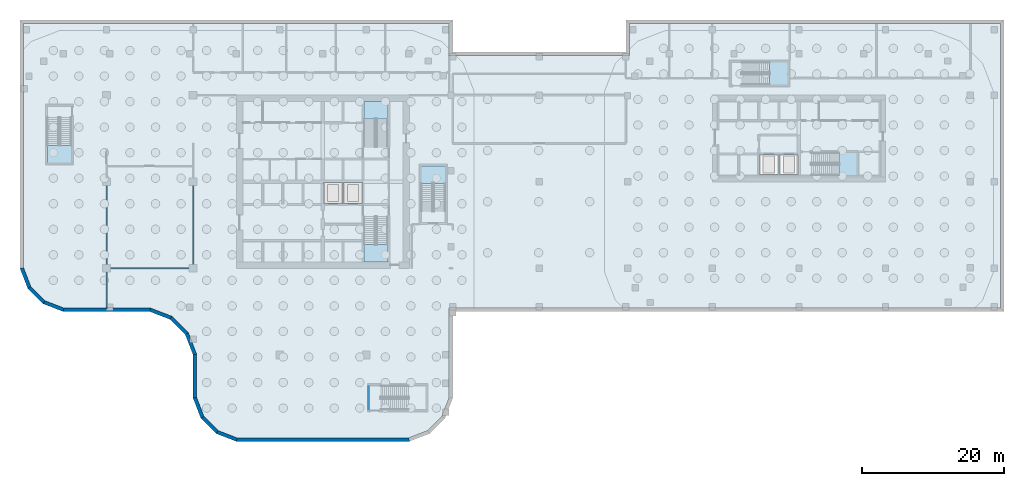
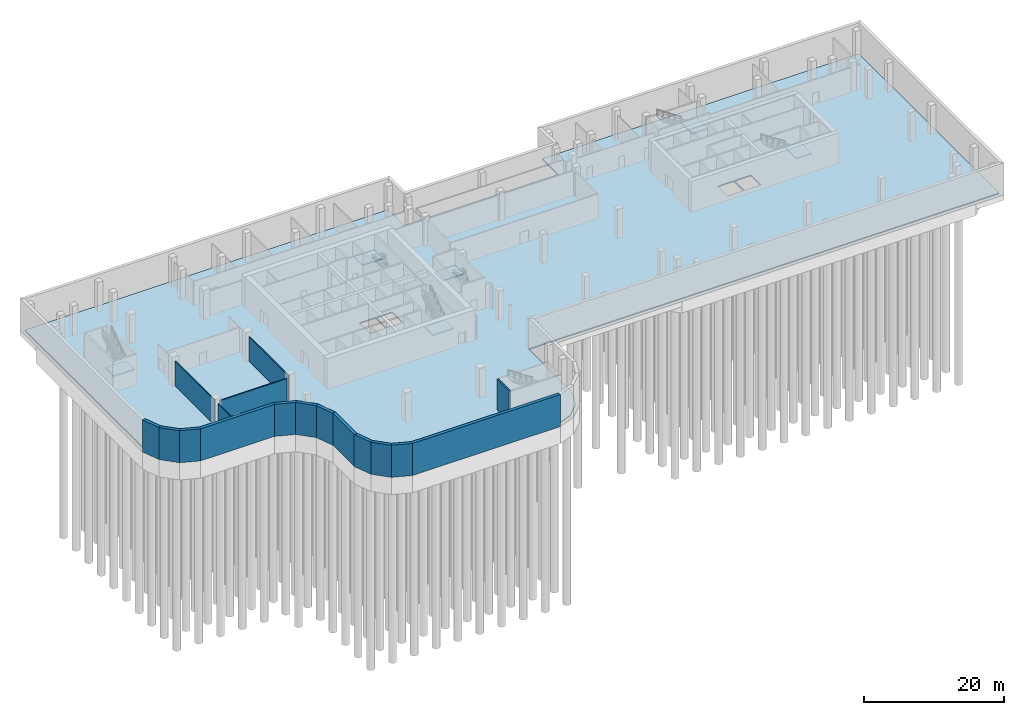
# One storey, part 3 of 13: 17 walls, 7 slabs, 6 elements without a shape of their own.
"""IFC4 building model written with IfcOpenShell, lengths in metres."""

from ifc_helpers import new_model, si_unit, direction, frame, frame_2d, origin, place, context, subcontext, project, spatial, polyline, rectangle, outline, extrude, material, layer, layer_set, type_object, element, aggregate, save


model = new_model("IFC4")

# Units and contexts
model_context = context("Model", 3, precision=1e-05, world=origin(), true_north=direction((0.0, 1.0)))
body_context = subcontext(model_context, "Body", "Model", "MODEL_VIEW")
ifc_project = project(units=[si_unit("LENGTHUNIT", "METRE"), si_unit("AREAUNIT", "SQUARE_METRE"), si_unit("VOLUMEUNIT", "CUBIC_METRE"), si_unit("PLANEANGLEUNIT", "RADIAN"), si_unit("MASSUNIT", "GRAM", prefix="KILO")], contexts=[model_context])

# Site, building, storey
site_placement = place(None, origin())
site = spatial("IfcSite", under=ifc_project, at=site_placement, CompositionType="ELEMENT")
building_placement = place(site_placement, origin())
building = spatial("IfcBuilding", under=site, at=building_placement, Name="Tessera Gate Towers", CompositionType="ELEMENT")
storey_placement = place(building_placement, frame((0.0, 0.0, -5.39990234375)))
storey = spatial("IfcBuildingStorey", under=building, at=storey_placement, Name="B1", CompositionType="ELEMENT", Elevation=-5.39990234375)

# Slab
ifc_material_1 = material(Name="Concrete C35/45", Category="concrete")
ifc_layer_1 = layer(ifc_material_1, 0.199951171875)
ifc_layer_set_1 = layer_set([ifc_layer_1], Name="BASE SLAB 200")
slab_type_1 = type_object("IfcSlabType", Name="BASE SLAB 200", PredefinedType="BASESLAB", material=ifc_layer_set_1)
slab_1_placement = place(storey_placement, frame((0.0, 0.0, -0.2001953125)))
element("IfcSlab", 1, at=slab_1_placement, inside=storey, type_object=slab_type_1, Name="PD-B1-FLOOR", PredefinedType="BASESLAB", context=body_context, shape_type="SweptSolid", body=[
    extrude(outline(polyline([(0.5, 24.4931640625), (1.526123046875, 21.8330078125), (3.533203125, 19.826171875), (6.193115234375, 18.800048828125), (18.39306640625, 18.800048828125), (21.42431640625, 17.630615234375), (23.730712890625, 15.32421875), (24.89990234375, 12.293212890625), (24.89990234375, 6.193115234375), (25.926025390625, 3.533203125), (27.93310546875, 1.526123046875), (30.593017578125, 0.5), (54.806884765625, 0.5), (57.466796875, 1.526123046875), (59.473876953125, 3.533203125), (60.5, 6.193115234375), (60.5, 18.800048828125), (138.199951171875, 18.800048828125), (138.199951171875, 58.89990234375), (85.89990234375, 58.89990234375), (85.89990234375, 54.39990234375), (60.5, 54.39990234375), (60.5, 58.89990234375), (0.5, 58.89990234375), (0.5, 24.4931640625)]), holes=[polyline([(42.800048828125, 33.5), (42.800048828125, 36.5), (45.425048828125, 36.5), (45.425048828125, 33.5), (42.800048828125, 33.5)]), polyline([(45.625, 33.5), (45.625, 36.5), (48.25, 36.5), (48.25, 33.5), (45.625, 33.5)]), polyline([(104.25, 37.60009765625), (104.25, 40.39990234375), (106.875, 40.39990234375), (106.875, 37.60009765625), (104.25, 37.60009765625)]), polyline([(107.074951171875, 37.60009765625), (107.074951171875, 40.39990234375), (109.699951171875, 40.39990234375), (109.699951171875, 37.60009765625), (107.074951171875, 37.60009765625)])]), origin(), (0.0, 0.0, 1.0), 0.2001953125),
])

# Stair, slab
ifc_material_2 = material(Name="Concrete C40/50", Category="concrete")
stair_type_1 = type_object("IfcStairType", Name="EXIT STAIR ST1D 1600", PredefinedType="HALF_TURN_STAIR", material=ifc_material_2)
stair_1_placement = place(storey_placement, origin())
stair_1 = element("IfcStair", 2, at=stair_1_placement, inside=storey, type_object=stair_type_1, Name="B1 Protected Exit Stair ST1", PredefinedType="HALF_TURN_STAIR")
ifc_material_3 = material(Name="Concrete C40/50", Category="concrete")
ifc_layer_2 = layer(ifc_material_3, 0.199951171875)
ifc_layer_set_2 = layer_set([ifc_layer_2], Name="EXIT STAIR LANDING 200")
slab_type_2 = type_object("IfcSlabType", Name="EXIT STAIR LANDING 200", PredefinedType="LANDING", material=ifc_layer_set_2)
slab_2_placement = place(storey_placement, frame((0.0, 0.0, 2.5)))
slab_2 = element("IfcSlab", 3, at=slab_2_placement, type_object=slab_type_2, Name="ST1 landing 1", PredefinedType="LANDING", context=body_context, shape_type="SweptSolid", body=[
    extrude(outline(polyline([(48.47509765625, 27.7548828125), (48.47509765625, 25.300048828125), (51.875, 25.300048828125), (51.875, 27.7548828125), (48.47509765625, 27.7548828125)])), origin(), (0.0, 0.0, 1.0), 0.199951171875),
])
aggregate(stair_1, [slab_2])

ifc_material_4 = material(Name="Concrete C40/50", Category="concrete")
stair_type_2 = type_object("IfcStairType", Name="EXIT STAIR ST2D 1600", PredefinedType="HALF_TURN_STAIR", material=ifc_material_4)
stair_2_placement = place(storey_placement, origin())
stair_2 = element("IfcStair", 4, at=stair_2_placement, inside=storey, type_object=stair_type_2, Name="B1 Protected Exit Stair ST2", PredefinedType="HALF_TURN_STAIR")
slab_3_placement = place(storey_placement, frame((0.0, 0.0, 2.5)))
slab_3 = element("IfcSlab", 5, at=slab_3_placement, type_object=slab_type_2, Name="ST2 landing 1", PredefinedType="LANDING", context=body_context, shape_type="SweptSolid", body=[
    extrude(outline(polyline([(51.875, 45.445068359375), (51.875, 47.89990234375), (48.47509765625, 47.89990234375), (48.47509765625, 45.445068359375), (51.875, 45.445068359375)])), origin(), (0.0, 0.0, 1.0), 0.199951171875),
])
aggregate(stair_2, [slab_3])

ifc_material_5 = material(Name="Concrete C40/50", Category="concrete")
stair_type_3 = type_object("IfcStairType", Name="EXIT STAIR ST3C 1600", PredefinedType="HALF_TURN_STAIR", material=ifc_material_5)
stair_3_placement = place(storey_placement, origin())
stair_3 = element("IfcStair", 6, at=stair_3_placement, inside=storey, type_object=stair_type_3, Name="B1 West Exit Stair ST3", PredefinedType="HALF_TURN_STAIR")
slab_4_placement = place(storey_placement, frame((0.0, 0.0, 2.5)))
slab_4 = element("IfcSlab", 7, at=slab_4_placement, type_object=slab_type_2, Name="ST3 landing 1", PredefinedType="LANDING", context=body_context, shape_type="SweptSolid", body=[
    extrude(outline(polyline([(3.85009765625, 41.72998046875), (3.85009765625, 39.25), (7.25, 39.25), (7.25, 41.72998046875), (3.85009765625, 41.72998046875)])), origin(), (0.0, 0.0, 1.0), 0.199951171875),
])
aggregate(stair_3, [slab_4])

ifc_material_6 = material(Name="Concrete C40/50", Category="concrete")
stair_type_4 = type_object("IfcStairType", Name="EXIT STAIR ST5C 1600", PredefinedType="HALF_TURN_STAIR", material=ifc_material_6)
stair_4_placement = place(storey_placement, origin())
stair_4 = element("IfcStair", 8, at=stair_4_placement, inside=storey, type_object=stair_type_4, Name="B1 East Exit Stair ST5", PredefinedType="HALF_TURN_STAIR")
slab_5_placement = place(storey_placement, frame((0.0, 0.0, 2.5)))
slab_5 = element("IfcSlab", 9, at=slab_5_placement, type_object=slab_type_2, Name="ST5 landing 1", PredefinedType="LANDING", context=body_context, shape_type="SweptSolid", body=[
    extrude(outline(polyline([(59.949951171875, 36.3701171875), (59.949951171875, 38.85009765625), (56.550048828125, 38.85009765625), (56.550048828125, 36.3701171875), (59.949951171875, 36.3701171875)])), origin(), (0.0, 0.0, 1.0), 0.199951171875),
])
aggregate(stair_4, [slab_5])

ifc_material_7 = material(Name="Concrete C40/50", Category="concrete")
stair_type_5 = type_object("IfcStairType", Name="EXIT STAIR ST6C 1500", PredefinedType="HALF_TURN_STAIR", material=ifc_material_7)
stair_5_placement = place(storey_placement, origin())
stair_5 = element("IfcStair", 10, at=stair_5_placement, inside=storey, type_object=stair_type_5, Name="B1 Protected Exit Stair ST6", PredefinedType="HALF_TURN_STAIR")
slab_6_placement = place(storey_placement, frame((0.0, 0.0, 2.5)))
slab_6 = element("IfcSlab", 11, at=slab_6_placement, type_object=slab_type_2, Name="ST6 landing 1", PredefinedType="LANDING", context=body_context, shape_type="SweptSolid", body=[
    extrude(outline(polyline([(115.469970703125, 37.5), (117.97509765625, 37.5), (117.97509765625, 40.699951171875), (115.469970703125, 40.699951171875), (115.469970703125, 37.5)])), origin(), (0.0, 0.0, 1.0), 0.199951171875),
])
aggregate(stair_5, [slab_6])

ifc_material_8 = material(Name="Concrete C40/50", Category="concrete")
stair_type_6 = type_object("IfcStairType", Name="EXIT STAIR ST7C 1500", PredefinedType="HALF_TURN_STAIR", material=ifc_material_8)
stair_6_placement = place(storey_placement, origin())
stair_6 = element("IfcStair", 12, at=stair_6_placement, inside=storey, type_object=stair_type_6, Name="B1 North Exit Stair ST7", PredefinedType="HALF_TURN_STAIR")
slab_7_placement = place(storey_placement, frame((0.0, 0.0, 2.5)))
slab_7 = element("IfcSlab", 13, at=slab_7_placement, type_object=slab_type_2, Name="ST7 landing 1", PredefinedType="LANDING", context=body_context, shape_type="SweptSolid", body=[
    extrude(outline(polyline([(105.669921875, 50.25), (108.25, 50.25), (108.25, 53.449951171875), (105.669921875, 53.449951171875), (105.669921875, 50.25)])), origin(), (0.0, 0.0, 1.0), 0.199951171875),
])
aggregate(stair_6, [slab_7])

# Walls
ifc_material_9 = material(Name="Concrete C40/50", Category="concrete")
ifc_layer_3 = layer(ifc_material_9, 0.25)
ifc_layer_set_3 = layer_set([ifc_layer_3], Name="CORE ENCLOSURE WALL 250")
wall_type_1 = type_object("IfcWallType", Name="CORE ENCLOSURE WALL 250", PredefinedType="SOLIDWALL", material=ifc_layer_set_3)
wall_1_placement = place(storey_placement, frame((49.125, 4.449951171875, 0.0), z_axis=(0.0, 0.0, 1.0), x_axis=(0.0, 1.0, 0.0)))
element("IfcWall", 14, at=wall_1_placement, inside=storey, type_object=wall_type_1, Name="B1 ST4 enclosure wall", PredefinedType="SOLIDWALL", context=body_context, shape_type="SweptSolid", body=[
    extrude(rectangle(XDim=3.400146484375, YDim=0.25, at=frame_2d((1.7001953125, 0.0))), origin(), (0.0, 0.0, 1.0), 5.39990234375),
])
ifc_material_10 = material(Name="Concrete C40/50", Category="concrete")
ifc_layer_4 = layer(ifc_material_10, 0.5)
ifc_layer_set_4 = layer_set([ifc_layer_4], Name="RETAINING WALL 500 C40/50")
wall_type_2 = type_object("IfcWallType", Name="RETAINING WALL 500 C40/50", PredefinedType="SOLIDWALL", material=ifc_layer_set_4)
wall_2_placement = place(storey_placement, frame((0.0, 0.0, -0.2001953125)))
element("IfcWall", 15, at=wall_2_placement, inside=storey, type_object=wall_type_2, Name="PD-B1-RETAINING-03", PredefinedType="SOLIDWALL", context=body_context, shape_type="SweptSolid", body=[
    extrude(outline(polyline([(30.5, 0.0), (54.89990234375, 0.0), (54.806884765625, 0.5), (30.593017578125, 0.5), (30.5, 0.0)])), origin(), (0.0, 0.0, 1.0), 5.60009765625),
])
wall_3_placement = place(storey_placement, frame((0.0, 0.0, -0.2001953125)))
element("IfcWall", 16, at=wall_3_placement, inside=storey, type_object=wall_type_2, Name="PD-B1-RETAINING-04", PredefinedType="SOLIDWALL", context=body_context, shape_type="SweptSolid", body=[
    extrude(outline(polyline([(27.654296875, 1.09765625), (30.5, 0.0), (30.593017578125, 0.5), (27.93310546875, 1.526123046875), (27.654296875, 1.09765625)])), origin(), (0.0, 0.0, 1.0), 5.60009765625),
])
wall_4_placement = place(storey_placement, frame((0.0, 0.0, -0.2001953125)))
element("IfcWall", 17, at=wall_4_placement, inside=storey, type_object=wall_type_2, Name="PD-B1-RETAINING-05", PredefinedType="SOLIDWALL", context=body_context, shape_type="SweptSolid", body=[
    extrude(outline(polyline([(25.497802734375, 3.25439453125), (27.654296875, 1.09765625), (27.93310546875, 1.526123046875), (25.926025390625, 3.533203125), (25.497802734375, 3.25439453125)])), origin(), (0.0, 0.0, 1.0), 5.60009765625),
])
wall_5_placement = place(storey_placement, frame((0.0, 0.0, -0.2001953125)))
element("IfcWall", 18, at=wall_5_placement, inside=storey, type_object=wall_type_2, Name="PD-B1-RETAINING-06", PredefinedType="SOLIDWALL", context=body_context, shape_type="SweptSolid", body=[
    extrude(outline(polyline([(24.39990234375, 6.10009765625), (25.497802734375, 3.25439453125), (25.926025390625, 3.533203125), (24.89990234375, 6.193115234375), (24.39990234375, 6.10009765625)])), origin(), (0.0, 0.0, 1.0), 5.60009765625),
])
wall_6_placement = place(storey_placement, frame((0.0, 0.0, -0.2001953125)))
element("IfcWall", 19, at=wall_6_placement, inside=storey, type_object=wall_type_2, Name="PD-B1-RETAINING-07", PredefinedType="SOLIDWALL", context=body_context, shape_type="SweptSolid", body=[
    extrude(outline(polyline([(24.39990234375, 6.10009765625), (24.89990234375, 6.193115234375), (24.89990234375, 12.293212890625), (24.39990234375, 12.199951171875), (24.39990234375, 6.10009765625)])), origin(), (0.0, 0.0, 1.0), 5.60009765625),
])
wall_7_placement = place(storey_placement, frame((0.0, 0.0, -0.2001953125)))
element("IfcWall", 20, at=wall_7_placement, inside=storey, type_object=wall_type_2, Name="PD-B1-RETAINING-08", PredefinedType="SOLIDWALL", context=body_context, shape_type="SweptSolid", body=[
    extrude(outline(polyline([(23.30224609375, 15.045654296875), (24.39990234375, 12.199951171875), (24.89990234375, 12.293212890625), (23.730712890625, 15.32421875), (23.30224609375, 15.045654296875)])), origin(), (0.0, 0.0, 1.0), 5.60009765625),
])
wall_8_placement = place(storey_placement, frame((0.0, 0.0, -0.2001953125)))
element("IfcWall", 21, at=wall_8_placement, inside=storey, type_object=wall_type_2, Name="PD-B1-RETAINING-09", PredefinedType="SOLIDWALL", context=body_context, shape_type="SweptSolid", body=[
    extrude(outline(polyline([(21.1455078125, 17.202392578125), (23.30224609375, 15.045654296875), (23.730712890625, 15.32421875), (21.42431640625, 17.630615234375), (21.1455078125, 17.202392578125)])), origin(), (0.0, 0.0, 1.0), 5.60009765625),
])
wall_9_placement = place(storey_placement, frame((0.0, 0.0, -0.2001953125)))
element("IfcWall", 22, at=wall_9_placement, inside=storey, type_object=wall_type_2, Name="PD-B1-RETAINING-10", PredefinedType="SOLIDWALL", context=body_context, shape_type="SweptSolid", body=[
    extrude(outline(polyline([(18.300048828125, 18.300048828125), (21.1455078125, 17.202392578125), (21.42431640625, 17.630615234375), (18.39306640625, 18.800048828125), (18.300048828125, 18.300048828125)])), origin(), (0.0, 0.0, 1.0), 5.60009765625),
])
wall_10_placement = place(storey_placement, frame((0.0, 0.0, -0.2001953125)))
element("IfcWall", 23, at=wall_10_placement, inside=storey, type_object=wall_type_2, Name="PD-B1-RETAINING-11", PredefinedType="SOLIDWALL", context=body_context, shape_type="SweptSolid", body=[
    extrude(outline(polyline([(6.10009765625, 18.300048828125), (18.300048828125, 18.300048828125), (18.39306640625, 18.800048828125), (6.193115234375, 18.800048828125), (6.10009765625, 18.300048828125)])), origin(), (0.0, 0.0, 1.0), 5.60009765625),
])
wall_11_placement = place(storey_placement, frame((0.0, 0.0, -0.2001953125)))
element("IfcWall", 24, at=wall_11_placement, inside=storey, type_object=wall_type_2, Name="PD-B1-RETAINING-12", PredefinedType="SOLIDWALL", context=body_context, shape_type="SweptSolid", body=[
    extrude(outline(polyline([(3.25439453125, 19.397705078125), (6.10009765625, 18.300048828125), (6.193115234375, 18.800048828125), (3.533203125, 19.826171875), (3.25439453125, 19.397705078125)])), origin(), (0.0, 0.0, 1.0), 5.60009765625),
])
wall_12_placement = place(storey_placement, frame((0.0, 0.0, -0.2001953125)))
element("IfcWall", 25, at=wall_12_placement, inside=storey, type_object=wall_type_2, Name="PD-B1-RETAINING-13", PredefinedType="SOLIDWALL", context=body_context, shape_type="SweptSolid", body=[
    extrude(outline(polyline([(1.09765625, 21.554443359375), (3.25439453125, 19.397705078125), (3.533203125, 19.826171875), (1.526123046875, 21.8330078125), (1.09765625, 21.554443359375)])), origin(), (0.0, 0.0, 1.0), 5.60009765625),
])
wall_13_placement = place(storey_placement, frame((0.0, 0.0, -0.2001953125)))
element("IfcWall", 26, at=wall_13_placement, inside=storey, type_object=wall_type_2, Name="PD-B1-RETAINING-14", PredefinedType="SOLIDWALL", context=body_context, shape_type="SweptSolid", body=[
    extrude(outline(polyline([(0.0, 24.39990234375), (1.09765625, 21.554443359375), (1.526123046875, 21.8330078125), (0.5, 24.4931640625), (0.0, 24.39990234375)])), origin(), (0.0, 0.0, 1.0), 5.60009765625),
])
ifc_material_11 = material(Name="Gypsum board on steel studs, mineral wool", Category="steel")
ifc_layer_5 = layer(ifc_material_11, 0.14990234375)
ifc_layer_set_5 = layer_set([ifc_layer_5], Name="STORE WALL 150")
wall_type_3 = type_object("IfcWallType", Name="STORE WALL 150", PredefinedType="PARTITIONING", material=ifc_layer_set_5)
wall_14_placement = place(storey_placement, frame((12.199951171875, 18.800048828125, 0.0), z_axis=(0.0, 0.0, 1.0), x_axis=(0.0, 1.0, 0.0)))
element("IfcWall", 27, at=wall_14_placement, inside=storey, type_object=wall_type_3, Name="PODIUM-B1-PW-001", PredefinedType="PARTITIONING", context=body_context, shape_type="SweptSolid", body=[
    extrude(rectangle(XDim=5.049072265625, YDim=0.14990234375, at=frame_2d((2.5244140625, 0.0))), origin(), (0.0, 0.0, 1.0), 4.31494140625),
])
for number, where, z_axis, x_axis, name in (
    (28, (12.7509765625, 24.39990234375, 0.0), (0.0, 0.0, 1.0), (1.0, 0.0, 0.0), "PODIUM-B1-PW-002"),
    (29, (12.199951171875, 24.950927734375, 0.0), (0.0, 0.0, 1.0), (0.0, 1.0, 0.0), "PODIUM-B1-PW-005"),
    (30, (24.39990234375, 24.950927734375, 0.0), (0.0, 0.0, 1.0), (0.0, 1.0, 0.0), "PODIUM-B1-PW-006"),
):
    element("IfcWall", number, at=place(storey_placement, frame(where, z_axis=z_axis, x_axis=x_axis)), inside=storey, type_object=wall_type_3, Name=name, PredefinedType="PARTITIONING", context=body_context, shape_type="SweptSolid", body=[
        extrude(rectangle(XDim=11.09814453125, YDim=0.14990234375, at=frame_2d((5.549072265625, 0.0))), origin(), (0.0, 0.0, 1.0), 4.31494140625),
    ])

save(model, "model.ifc")
